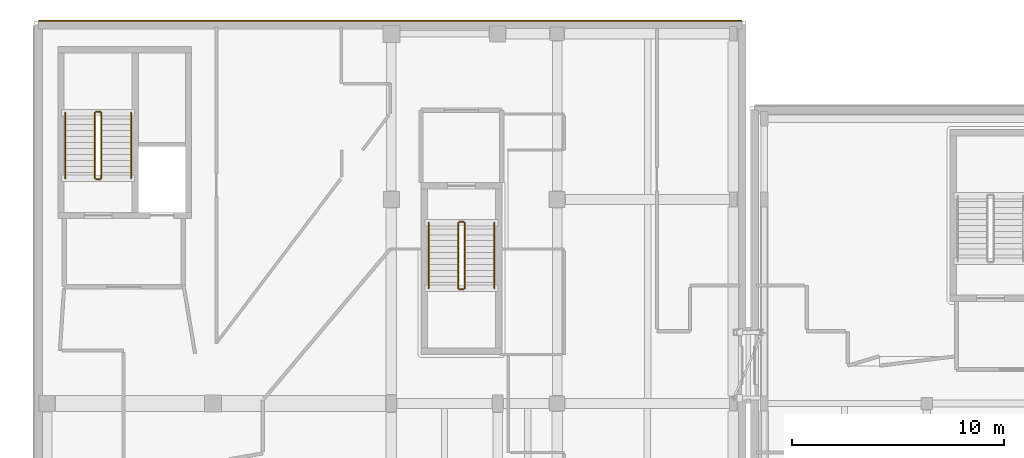
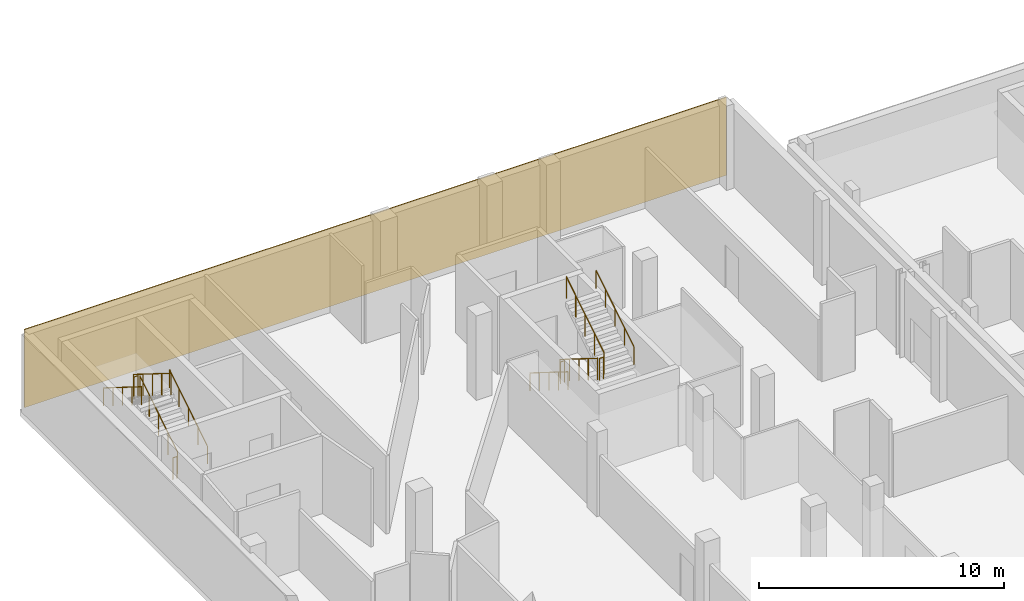
# One storey, part 76 of 84: 12 railings, 1 covering.
"""IFC4 building model written with IfcOpenShell, lengths in metres."""

from ifc_helpers import new_model, si_unit, direction, frame, origin, origin_2d, place, context, subcontext, project, spatial, rectangle, circle, extrude, material, layer, layer_set, type_object, element, save


model = new_model("IFC4")

# Units and contexts
model_context = context("Model", 3, precision=1e-05, world=origin(), true_north=direction((0.0, 1.0)))
body_context = subcontext(model_context, "Body", "Model", "MODEL_VIEW")
ifc_project = project(units=[si_unit("LENGTHUNIT", "METRE"), si_unit("AREAUNIT", "SQUARE_METRE"), si_unit("VOLUMEUNIT", "CUBIC_METRE"), si_unit("PLANEANGLEUNIT", "RADIAN"), si_unit("MASSUNIT", "GRAM", prefix="KILO")], contexts=[model_context])

# Site, building, storey
site_placement = place(None, origin())
site = spatial("IfcSite", under=ifc_project, at=site_placement, CompositionType="ELEMENT")
building_placement = place(site_placement, origin())
building = spatial("IfcBuilding", under=site, at=building_placement, Name="Mzevani Central Library", CompositionType="ELEMENT")
storey_placement = place(building_placement, frame((0.0, 0.0, 5.39990234375)))
storey = spatial("IfcBuildingStorey", under=building, at=storey_placement, Name="L01", CompositionType="ELEMENT", Elevation=5.39990234375)

# Railings
ifc_material_1 = material(Name="Brushed stainless steel rail", Category="steel")
railing_type_1 = type_object("IfcRailingType", Name="Interior Gallery and Stair Guard 1100", PredefinedType="BALUSTRADE", material=ifc_material_1)
railing_1_placement = place(storey_placement, frame((15.550048828125, 110.60009765625, 0.175048828125)))
element("IfcRailing", 1, at=railing_1_placement, inside=storey, type_object=railing_type_1, Name="L01 ST-03 stair guard 1", PredefinedType="BALUSTRADE", context=body_context, shape_type="SweptSolid", body=[
    extrude(circle(Radius=0.02392578125, at=origin_2d()), frame((0.0, 0.0, 1.076171875), z_axis=(0.0, 0.847979421464, 0.530029150871), x_axis=(-1.0, 0.0, 0.0)), (0.0, 0.0, 1.0), 3.632080078125),
    extrude(circle(Radius=0.02099609375, at=origin_2d()), origin(), (0.0, 0.0, 1.0), 1.052001953125),
    extrude(circle(Radius=0.02099609375, at=origin_2d()), frame((0.0, 0.77001953125, 0.481201171875)), (0.0, 0.0, 1.0), 1.052001953125),
    extrude(circle(Radius=0.02099609375, at=origin_2d()), frame((0.0, 1.5400390625, 0.96240234375)), (0.0, 0.0, 1.0), 1.052001953125),
    extrude(circle(Radius=0.02099609375, at=origin_2d()), frame((0.0, 2.309814453125, 1.44384765625)), (0.0, 0.0, 1.0), 1.052001953125),
    extrude(circle(Radius=0.02099609375, at=origin_2d()), frame((0.0, 3.079833984375, 1.925048828125)), (0.0, 0.0, 1.0), 1.052001953125),
])
railing_2_placement = place(storey_placement, frame((15.5, 113.72998046875, 2.10009765625)))
element("IfcRailing", 2, at=railing_2_placement, inside=storey, type_object=railing_type_1, Name="L01 ST-03 stair guard 2", PredefinedType="BALUSTRADE", context=body_context, shape_type="SweptSolid", body=[
    extrude(circle(Radius=0.02392578125, at=origin_2d()), frame((0.0, 0.0, 1.076171875), z_axis=(-1.0, 0.0, 0.0), x_axis=(0.0, -1.0, 0.0)), (0.0, 0.0, 1.0), 0.199951171875),
    extrude(circle(Radius=0.02099609375, at=origin_2d()), origin(), (0.0, 0.0, 1.0), 1.052001953125),
    extrude(circle(Radius=0.02099609375, at=origin_2d()), frame((-0.199951171875, 0.0, 0.0)), (0.0, 0.0, 1.0), 1.052001953125),
])
railing_3_placement = place(storey_placement, frame((15.25, 113.679931640625, 2.275146484375)))
element("IfcRailing", 3, at=railing_3_placement, inside=storey, type_object=railing_type_1, Name="L01 ST-03 stair guard 3", PredefinedType="BALUSTRADE", context=body_context, shape_type="SweptSolid", body=[
    extrude(circle(Radius=0.02392578125, at=origin_2d()), frame((0.0, 0.0, 1.076171875), z_axis=(0.0, -0.847979421464, 0.530029150871), x_axis=(1.0, 0.0, 0.0)), (0.0, 0.0, 1.0), 3.632080078125),
    extrude(circle(Radius=0.02099609375, at=origin_2d()), origin(), (0.0, 0.0, 1.0), 1.052001953125),
    extrude(circle(Radius=0.02099609375, at=origin_2d()), frame((0.0, -0.77001953125, 0.481201171875)), (0.0, 0.0, 1.0), 1.052001953125),
    extrude(circle(Radius=0.02099609375, at=origin_2d()), frame((0.0, -1.5400390625, 0.96240234375)), (0.0, 0.0, 1.0), 1.052001953125),
    extrude(circle(Radius=0.02099609375, at=origin_2d()), frame((0.0, -2.309814453125, 1.44384765625)), (0.0, 0.0, 1.0), 1.052001953125),
    extrude(circle(Radius=0.02099609375, at=origin_2d()), frame((0.0, -3.079833984375, 1.925048828125)), (0.0, 0.0, 1.0), 1.052001953125),
])
railing_4_placement = place(storey_placement, frame((15.5, 110.550048828125, 0.0)))
element("IfcRailing", 4, at=railing_4_placement, inside=storey, type_object=railing_type_1, Name="L01 ST-03 stair guard 4", PredefinedType="BALUSTRADE", context=body_context, shape_type="SweptSolid", body=[
    extrude(circle(Radius=0.02392578125, at=origin_2d()), frame((0.0, 0.0, 1.076171875), z_axis=(-1.0, 0.0, 0.0), x_axis=(0.0, -1.0, 0.0)), (0.0, 0.0, 1.0), 0.199951171875),
    extrude(circle(Radius=0.02099609375, at=origin_2d()), origin(), (0.0, 0.0, 1.0), 1.052001953125),
    extrude(circle(Radius=0.02099609375, at=origin_2d()), frame((-0.199951171875, 0.0, 0.0)), (0.0, 0.0, 1.0), 1.052001953125),
])
railing_5_placement = place(storey_placement, frame((32.35009765625, 108.5, 0.175048828125)))
element("IfcRailing", 5, at=railing_5_placement, inside=storey, type_object=railing_type_1, Name="L01 ST-04 stair guard 1", PredefinedType="BALUSTRADE", context=body_context, shape_type="SweptSolid", body=[
    extrude(circle(Radius=0.02392578125, at=origin_2d()), frame((0.0, 0.0, 1.076171875), z_axis=(0.0, -0.847998304005, 0.529998940003), x_axis=(1.0, 0.0, 0.0)), (0.0, 0.0, 1.0), 3.632080078125),
    extrude(circle(Radius=0.02099609375, at=origin_2d()), origin(), (0.0, 0.0, 1.0), 1.052001953125),
    extrude(circle(Radius=0.02099609375, at=origin_2d()), frame((0.0, -0.77001953125, 0.481201171875)), (0.0, 0.0, 1.0), 1.052001953125),
    extrude(circle(Radius=0.02099609375, at=origin_2d()), frame((0.0, -1.5400390625, 0.96240234375)), (0.0, 0.0, 1.0), 1.052001953125),
    extrude(circle(Radius=0.02099609375, at=origin_2d()), frame((0.0, -2.31005859375, 1.44384765625)), (0.0, 0.0, 1.0), 1.052001953125),
    extrude(circle(Radius=0.02099609375, at=origin_2d()), frame((0.0, -3.080078125, 1.925048828125)), (0.0, 0.0, 1.0), 1.052001953125),
])
railing_6_placement = place(storey_placement, frame((32.39990234375, 105.3701171875, 2.10009765625)))
element("IfcRailing", 6, at=railing_6_placement, inside=storey, type_object=railing_type_1, Name="L01 ST-04 stair guard 2", PredefinedType="BALUSTRADE", context=body_context, shape_type="SweptSolid", body=[
    extrude(circle(Radius=0.02392578125, at=origin_2d()), frame((0.0, 0.0, 1.076171875), z_axis=(1.0, 0.0, 0.0), x_axis=(0.0, 1.0, 0.0)), (0.0, 0.0, 1.0), 0.2001953125),
    extrude(circle(Radius=0.02099609375, at=origin_2d()), origin(), (0.0, 0.0, 1.0), 1.052001953125),
    extrude(circle(Radius=0.02099609375, at=origin_2d()), frame((0.2001953125, 0.0, 0.0)), (0.0, 0.0, 1.0), 1.052001953125),
])
railing_7_placement = place(storey_placement, frame((32.64990234375, 105.419921875, 2.275146484375)))
element("IfcRailing", 7, at=railing_7_placement, inside=storey, type_object=railing_type_1, Name="L01 ST-04 stair guard 3", PredefinedType="BALUSTRADE", context=body_context, shape_type="SweptSolid", body=[
    extrude(circle(Radius=0.02392578125, at=origin_2d()), frame((0.0, 0.0, 1.076171875), z_axis=(0.0, 0.847998304005, 0.529998940003), x_axis=(-1.0, 0.0, 0.0)), (0.0, 0.0, 1.0), 3.632080078125),
    extrude(circle(Radius=0.02099609375, at=origin_2d()), origin(), (0.0, 0.0, 1.0), 1.052001953125),
    extrude(circle(Radius=0.02099609375, at=origin_2d()), frame((0.0, 0.77001953125, 0.481201171875)), (0.0, 0.0, 1.0), 1.052001953125),
    extrude(circle(Radius=0.02099609375, at=origin_2d()), frame((0.0, 1.5400390625, 0.96240234375)), (0.0, 0.0, 1.0), 1.052001953125),
    extrude(circle(Radius=0.02099609375, at=origin_2d()), frame((0.0, 2.31005859375, 1.44384765625)), (0.0, 0.0, 1.0), 1.052001953125),
    extrude(circle(Radius=0.02099609375, at=origin_2d()), frame((0.0, 3.080078125, 1.925048828125)), (0.0, 0.0, 1.0), 1.052001953125),
])
railing_8_placement = place(storey_placement, frame((32.39990234375, 108.550048828125, 0.0)))
element("IfcRailing", 8, at=railing_8_placement, inside=storey, type_object=railing_type_1, Name="L01 ST-04 stair guard 4", PredefinedType="BALUSTRADE", context=body_context, shape_type="SweptSolid", body=[
    extrude(circle(Radius=0.02392578125, at=origin_2d()), frame((0.0, 0.0, 1.076171875), z_axis=(1.0, 0.0, 0.0), x_axis=(0.0, 1.0, 0.0)), (0.0, 0.0, 1.0), 0.2001953125),
    extrude(circle(Radius=0.02099609375, at=origin_2d()), origin(), (0.0, 0.0, 1.0), 1.052001953125),
    extrude(circle(Radius=0.02099609375, at=origin_2d()), frame((0.2001953125, 0.0, 0.0)), (0.0, 0.0, 1.0), 1.052001953125),
])

# Covering
ifc_material_2 = material(Name="Limestone ashlar cladding", Category="masonry")
ifc_layer = layer(ifc_material_2, 0.050048828125, Name="Limestone Ashlar Spandrel Cladding")
ifc_layer_set = layer_set([ifc_layer], Name="Limestone ashlar cladding")
covering_type = type_object("IfcCoveringType", Name="Limestone Ashlar Spandrel Cladding", PredefinedType="CLADDING", material=ifc_layer_set)
covering_placement = place(storey_placement, frame((29.14990234375, 118.02392578125, 0.000244140625), z_axis=(0.0, 0.0, 1.0), x_axis=(1.0, 0.0, 0.0)))
element("IfcCovering", 9, at=covering_placement, inside=storey, type_object=covering_type, Name="L01 Warm-White Facade Cladding (EW4-V2-L01-0022)", PredefinedType="CLADDING", context=body_context, shape_type="SweptSolid", body=[
    extrude(rectangle(XDim=33.080078125, YDim=0.050048828125, at=origin_2d()), origin(), (0.0, 0.0, 1.0), 3.8798828125),
])

# Railings
railing_type_2 = type_object("IfcRailingType", Name="Stair Wall Handrail 920", PredefinedType="HANDRAIL", material=ifc_material_1)
railing_9_placement = place(storey_placement, frame((16.949951171875, 110.60009765625, 0.175048828125)))
element("IfcRailing", 10, at=railing_9_placement, inside=storey, type_object=railing_type_2, Name="L01 ST-03 stair handrail 1", PredefinedType="HANDRAIL", context=body_context, shape_type="SweptSolid", body=[
    extrude(circle(Radius=0.02392578125, at=origin_2d()), frame((0.0, 0.0, 0.89599609375), z_axis=(0.0, 0.847979421464, 0.530029150871), x_axis=(-1.0, 0.0, 0.0)), (0.0, 0.0, 1.0), 3.632080078125),
    extrude(circle(Radius=0.02099609375, at=origin_2d()), origin(), (0.0, 0.0, 1.0), 0.871826171875),
    extrude(circle(Radius=0.02099609375, at=origin_2d()), frame((0.0, 0.77001953125, 0.481201171875)), (0.0, 0.0, 1.0), 0.871826171875),
    extrude(circle(Radius=0.02099609375, at=origin_2d()), frame((0.0, 1.5400390625, 0.96240234375)), (0.0, 0.0, 1.0), 0.871826171875),
    extrude(circle(Radius=0.02099609375, at=origin_2d()), frame((0.0, 2.309814453125, 1.44384765625)), (0.0, 0.0, 1.0), 0.871826171875),
    extrude(circle(Radius=0.02099609375, at=origin_2d()), frame((0.0, 3.079833984375, 1.925048828125)), (0.0, 0.0, 1.0), 0.871826171875),
])
railing_10_placement = place(storey_placement, frame((13.85009765625, 113.679931640625, 2.275146484375)))
element("IfcRailing", 11, at=railing_10_placement, inside=storey, type_object=railing_type_2, Name="L01 ST-03 stair handrail 2", PredefinedType="HANDRAIL", context=body_context, shape_type="SweptSolid", body=[
    extrude(circle(Radius=0.02392578125, at=origin_2d()), frame((0.0, 0.0, 0.89599609375), z_axis=(0.0, -0.847979421464, 0.530029150871), x_axis=(1.0, 0.0, 0.0)), (0.0, 0.0, 1.0), 3.632080078125),
    extrude(circle(Radius=0.02099609375, at=origin_2d()), origin(), (0.0, 0.0, 1.0), 0.871826171875),
    extrude(circle(Radius=0.02099609375, at=origin_2d()), frame((0.0, -0.77001953125, 0.481201171875)), (0.0, 0.0, 1.0), 0.871826171875),
    extrude(circle(Radius=0.02099609375, at=origin_2d()), frame((0.0, -1.5400390625, 0.96240234375)), (0.0, 0.0, 1.0), 0.871826171875),
    extrude(circle(Radius=0.02099609375, at=origin_2d()), frame((0.0, -2.309814453125, 1.44384765625)), (0.0, 0.0, 1.0), 0.871826171875),
    extrude(circle(Radius=0.02099609375, at=origin_2d()), frame((0.0, -3.079833984375, 1.925048828125)), (0.0, 0.0, 1.0), 0.871826171875),
])
railing_11_placement = place(storey_placement, frame((30.949951171875, 108.5, 0.175048828125)))
element("IfcRailing", 12, at=railing_11_placement, inside=storey, type_object=railing_type_2, Name="L01 ST-04 stair handrail 1", PredefinedType="HANDRAIL", context=body_context, shape_type="SweptSolid", body=[
    extrude(circle(Radius=0.02392578125, at=origin_2d()), frame((0.0, 0.0, 0.89599609375), z_axis=(0.0, -0.847998304005, 0.529998940003), x_axis=(1.0, 0.0, 0.0)), (0.0, 0.0, 1.0), 3.632080078125),
    extrude(circle(Radius=0.02099609375, at=origin_2d()), origin(), (0.0, 0.0, 1.0), 0.871826171875),
    extrude(circle(Radius=0.02099609375, at=origin_2d()), frame((0.0, -0.77001953125, 0.481201171875)), (0.0, 0.0, 1.0), 0.871826171875),
    extrude(circle(Radius=0.02099609375, at=origin_2d()), frame((0.0, -1.5400390625, 0.96240234375)), (0.0, 0.0, 1.0), 0.871826171875),
    extrude(circle(Radius=0.02099609375, at=origin_2d()), frame((0.0, -2.31005859375, 1.44384765625)), (0.0, 0.0, 1.0), 0.871826171875),
    extrude(circle(Radius=0.02099609375, at=origin_2d()), frame((0.0, -3.080078125, 1.925048828125)), (0.0, 0.0, 1.0), 0.871826171875),
])
railing_12_placement = place(storey_placement, frame((34.050048828125, 105.419921875, 2.275146484375)))
element("IfcRailing", 13, at=railing_12_placement, inside=storey, type_object=railing_type_2, Name="L01 ST-04 stair handrail 2", PredefinedType="HANDRAIL", context=body_context, shape_type="SweptSolid", body=[
    extrude(circle(Radius=0.02392578125, at=origin_2d()), frame((0.0, 0.0, 0.89599609375), z_axis=(0.0, 0.847998304005, 0.529998940003), x_axis=(-1.0, 0.0, 0.0)), (0.0, 0.0, 1.0), 3.632080078125),
    extrude(circle(Radius=0.02099609375, at=origin_2d()), origin(), (0.0, 0.0, 1.0), 0.871826171875),
    extrude(circle(Radius=0.02099609375, at=origin_2d()), frame((0.0, 0.77001953125, 0.481201171875)), (0.0, 0.0, 1.0), 0.871826171875),
    extrude(circle(Radius=0.02099609375, at=origin_2d()), frame((0.0, 1.5400390625, 0.96240234375)), (0.0, 0.0, 1.0), 0.871826171875),
    extrude(circle(Radius=0.02099609375, at=origin_2d()), frame((0.0, 2.31005859375, 1.44384765625)), (0.0, 0.0, 1.0), 0.871826171875),
    extrude(circle(Radius=0.02099609375, at=origin_2d()), frame((0.0, 3.080078125, 1.925048828125)), (0.0, 0.0, 1.0), 0.871826171875),
])

save(model, "model.ifc")
